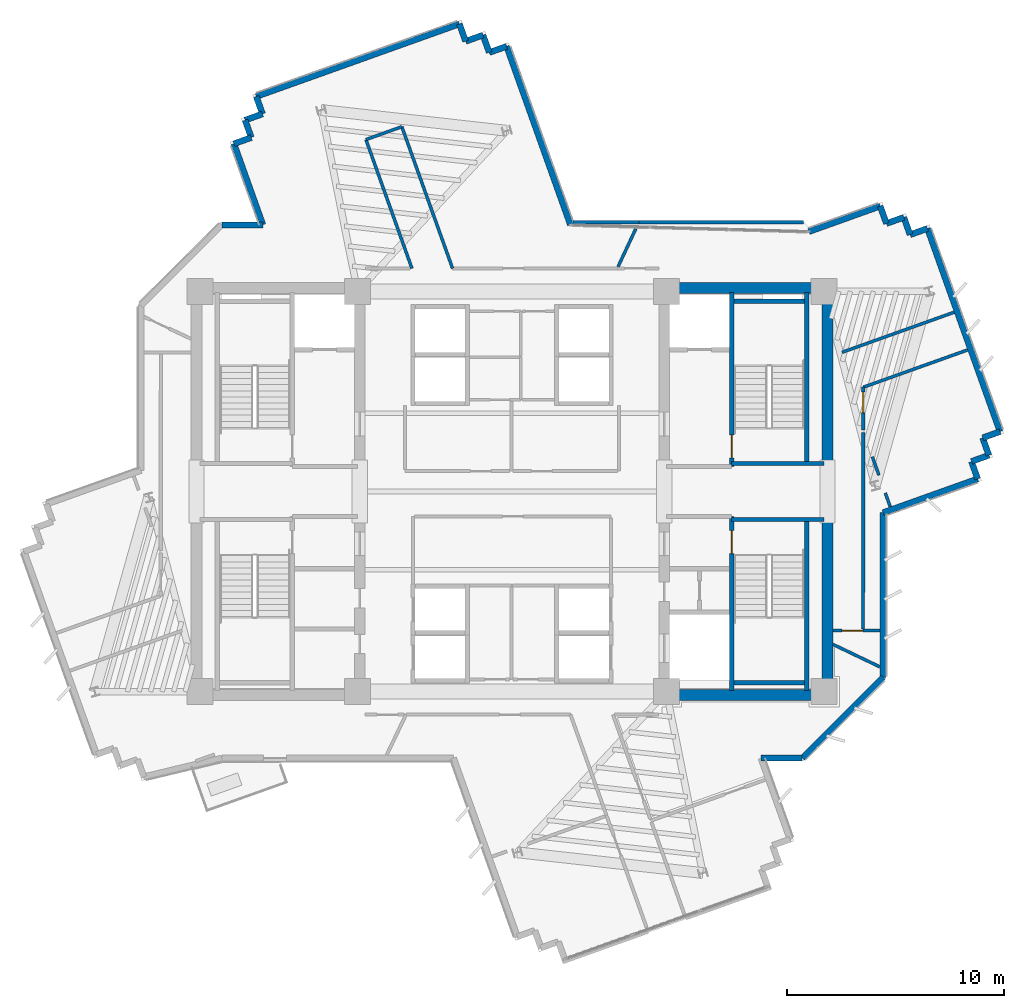
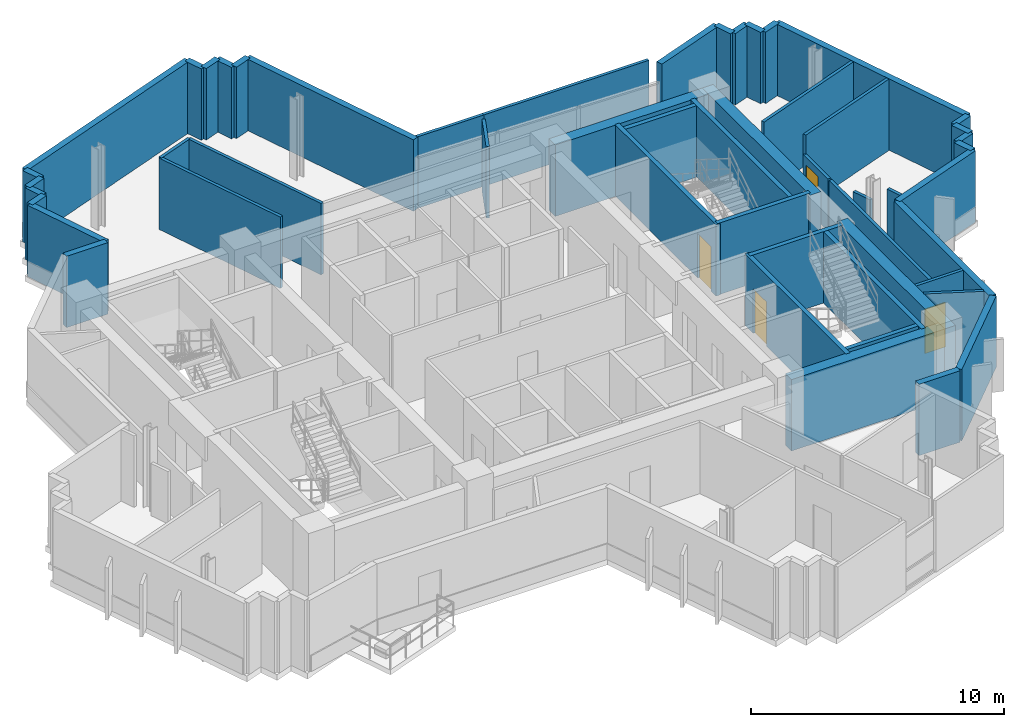
# One storey, part 9 of 13: 52 walls, 4 doors, 4 openings.
"""IFC4 building model written with IfcOpenShell, lengths in metres."""

from ifc_helpers import new_model, si_unit, direction, frame, frame_2d, origin, place, context, subcontext, project, spatial, rectangle, extrude, source, transform, mapped, material, layer, layer_set, type_object, element, fill, save


model = new_model("IFC4")

# Units and contexts
model_context = context("Model", 3, precision=1e-05, world=origin(), true_north=direction((0.0, 1.0)))
body_context = subcontext(model_context, "Body", "Model", "MODEL_VIEW")
ifc_project = project(units=[si_unit("LENGTHUNIT", "METRE"), si_unit("AREAUNIT", "SQUARE_METRE"), si_unit("VOLUMEUNIT", "CUBIC_METRE"), si_unit("PLANEANGLEUNIT", "RADIAN"), si_unit("MASSUNIT", "GRAM", prefix="KILO")], contexts=[model_context])

# Site, building, storey
site_placement = place(None, origin())
site = spatial("IfcSite", under=ifc_project, at=site_placement, CompositionType="ELEMENT")
building_placement = place(site_placement, origin())
building = spatial("IfcBuilding", under=site, at=building_placement, Name="Zahravan Cultural Tower", CompositionType="ELEMENT")
storey_placement = place(building_placement, frame((0.0, 0.0, 225.300048828125)))
storey = spatial("IfcBuildingStorey", under=building, at=storey_placement, Name="L53", CompositionType="ELEMENT", Elevation=225.300048828125)

# Wall, opening, door
ifc_material_1 = material(Name="Gypsum plasterboard partition")
ifc_layer_1 = layer(ifc_material_1, 0.139892578125)
ifc_layer_set_1 = layer_set([ifc_layer_1], Name="Gypsum plasterboard partition")
wall_type_1 = type_object("IfcWallType", Name="W-PART-140", PredefinedType="PARTITIONING", material=ifc_layer_set_1)
wall_1_placement = place(storey_placement, frame((50.7548828125, 20.60009765625, 0.0), z_axis=(0.0, 0.0, 1.0), x_axis=(0.999994277874, 0.003382930575, 0.0)))
wall_1 = element("IfcWall", 1, at=wall_1_placement, inside=storey, type_object=wall_type_1, Name="L53 Interior Wall 073", PredefinedType="PARTITIONING", context=body_context, shape_type="SweptSolid", body=[
    extrude(rectangle(XDim=2.1650390625, YDim=0.139892578125, at=frame_2d((1.08251953125, 0.0))), origin(), (0.0, 0.0, 1.0), 3.449951171875),
])
opening_1_placement = place(wall_1_placement, frame((0.42529296875, 0.0, 0.0)))
opening_1 = element("IfcOpeningElement", 2, at=opening_1_placement, cuts=wall_1, Name="Opening D-L53-20", PredefinedType="OPENING", context=body_context, shape_type="SweptSolid", body=[
    extrude(rectangle(XDim=0.949951171875, YDim=2.14990234375, at=frame_2d((0.47509765625, 1.074951171875))), frame((0.0, 0.079833984375, 0.0), z_axis=(0.0, -1.0, 0.0), x_axis=(1.0, 0.0, 0.0)), (0.0, 0.0, 1.0), 0.159912109375),
])
ifc_material_2 = material(Name="Anodised bronze-aluminium mullion", Category="aluminium")
door_type_1 = type_object("IfcDoorType", Name="DR-ROOM-950", OperationType="NOTDEFINED", PredefinedType="DOOR", material=ifc_material_2)
shared_shape_1 = source(origin(), body_context, "Body", "SweptSolid", [
    extrude(rectangle(XDim=0.949951171875, YDim=2.14990234375, at=frame_2d((0.47509765625, 1.074951171875))), frame((0.0, 0.02490234375, 0.0), z_axis=(0.0, -1.0, 0.0), x_axis=(1.0, 0.0, 0.0)), (0.0, 0.0, 1.0), 0.050048828125),
])
door_1_placement = place(opening_1_placement, origin())
door_1 = element("IfcDoor", 3, at=door_1_placement, inside=storey, type_object=door_type_1, Name="L53 Door D-L53-20", OperationType="SINGLE_SWING_RIGHT", OverallHeight=2.14990234375, OverallWidth=0.949951171875, PredefinedType="DOOR", context=body_context, shape_type="MappedRepresentation", body=[
    mapped(shared_shape_1, transform((0.0, 0.0, 0.0), x_axis=(1.0, 0.0, 0.0), y_axis=(0.0, 1.0, 0.0), z_axis=(0.0, 0.0, 1.0), scale=1.0)),
])
fill(opening_1, door_1)

wall_2_placement = place(storey_placement, frame((52.14990234375, 29.8291015625, 0.0), z_axis=(0.0, 0.0, 1.0), x_axis=(0.0, 1.0, 0.0)))
wall_2 = element("IfcWall", 4, at=wall_2_placement, inside=storey, type_object=wall_type_1, Name="L53 Interior Wall 093", PredefinedType="PARTITIONING", context=body_context, shape_type="SweptSolid", body=[
    extrude(rectangle(XDim=1.9658203125, YDim=0.139892578125, at=frame_2d((0.98291015625, 0.0))), origin(), (0.0, 0.0, 1.0), 2.52294921875),
])
opening_2_placement = place(wall_2_placement, frame((0.79248046875, 0.0, 0.0)))
opening_2 = element("IfcOpeningElement", 5, at=opening_2_placement, cuts=wall_2, Name="Opening D-L53-21", PredefinedType="OPENING", context=body_context, shape_type="SweptSolid", body=[
    extrude(rectangle(XDim=0.949951171875, YDim=2.14990234375, at=frame_2d((0.47509765625, 1.074951171875))), frame((0.0, 0.079833984375, 0.0), z_axis=(0.0, -1.0, 0.0), x_axis=(1.0, 0.0, 0.0)), (0.0, 0.0, 1.0), 0.159912109375),
])
door_2_placement = place(opening_2_placement, origin())
door_2 = element("IfcDoor", 6, at=door_2_placement, inside=storey, type_object=door_type_1, Name="L53 Door D-L53-21", OperationType="SINGLE_SWING_LEFT", OverallHeight=2.14990234375, OverallWidth=0.949951171875, PredefinedType="DOOR", context=body_context, shape_type="MappedRepresentation", body=[
    mapped(shared_shape_1, transform((0.0, 0.0, 0.0), x_axis=(1.0, 0.0, 0.0), y_axis=(0.0, 1.0, 0.0), z_axis=(0.0, 0.0, 1.0), scale=1.0)),
])
fill(opening_2, door_2)

ifc_material_3 = material(Name="Concrete C45/55", Category="concrete")
ifc_layer_2 = layer(ifc_material_3, 0.199951171875)
ifc_layer_set_2 = layer_set([ifc_layer_2], Name="Concrete C45/55")
wall_type_2 = type_object("IfcWallType", Name="W-SHAFT-200", PredefinedType="SOLIDWALL", material=ifc_layer_set_2)
wall_3_placement = place(storey_placement, frame((46.10009765625, 17.85009765625, 0.0), z_axis=(0.0, 0.0, 1.0), x_axis=(0.0, 1.0, 0.0)))
wall_3 = element("IfcWall", 7, at=wall_3_placement, inside=storey, type_object=wall_type_2, Name="L53 Interior Wall 007", PredefinedType="SOLIDWALL", context=body_context, shape_type="SweptSolid", body=[
    extrude(rectangle(XDim=8.0, YDim=0.199951171875, at=frame_2d((4.0, 0.0))), origin(), (0.0, 0.0, 1.0), 3.449951171875),
])
opening_3_placement = place(wall_3_placement, frame((6.300048828125, 0.0, 0.0)))
opening_3 = element("IfcOpeningElement", 8, at=opening_3_placement, cuts=wall_3, Name="Opening D-L53-03", PredefinedType="OPENING", context=body_context, shape_type="SweptSolid", body=[
    extrude(rectangle(XDim=1.050048828125, YDim=2.14990234375, at=frame_2d((0.52490234375, 1.074951171875))), frame((0.0, 0.10986328125, 0.0), z_axis=(0.0, -1.0, 0.0), x_axis=(1.0, 0.0, 0.0)), (0.0, 0.0, 1.0), 0.219970703125),
])
ifc_material_4 = material(Name="Steel ASTM A572 Grade 50", Category="steel")
door_type_2 = type_object("IfcDoorType", Name="DR-STAIR-1050", OperationType="NOTDEFINED", PredefinedType="DOOR", material=ifc_material_4)
shared_shape_2 = source(origin(), body_context, "Body", "SweptSolid", [
    extrude(rectangle(XDim=1.050048828125, YDim=2.14990234375, at=frame_2d((0.52490234375, 1.074951171875))), frame((0.0, 0.02490234375, 0.0), z_axis=(0.0, -1.0, 0.0), x_axis=(1.0, 0.0, 0.0)), (0.0, 0.0, 1.0), 0.050048828125),
])
door_3_placement = place(opening_3_placement, origin())
door_3 = element("IfcDoor", 9, at=door_3_placement, inside=storey, type_object=door_type_2, Name="L53 Door D-L53-03", OperationType="SINGLE_SWING_LEFT", OverallHeight=2.14990234375, OverallWidth=1.050048828125, PredefinedType="DOOR", context=body_context, shape_type="MappedRepresentation", body=[
    mapped(shared_shape_2, transform((0.0, 0.0, 0.0), x_axis=(1.0, 0.0, 0.0), y_axis=(0.0, 1.0, 0.0), z_axis=(0.0, 0.0, 1.0), scale=1.0)),
])
fill(opening_3, door_3)

wall_4_placement = place(storey_placement, frame((46.10009765625, 28.14990234375, 0.0), z_axis=(0.0, 0.0, 1.0), x_axis=(0.0, 1.0, 0.0)))
wall_4 = element("IfcWall", 10, at=wall_4_placement, inside=storey, type_object=wall_type_2, Name="L53 Interior Wall 008", PredefinedType="SOLIDWALL", context=body_context, shape_type="SweptSolid", body=[
    extrude(rectangle(XDim=8.0, YDim=0.199951171875, at=frame_2d((4.0, 0.0))), origin(), (0.0, 0.0, 1.0), 3.449951171875),
])
opening_4_placement = place(wall_4_placement, frame((0.39990234375, 0.0, 0.0)))
opening_4 = element("IfcOpeningElement", 11, at=opening_4_placement, cuts=wall_4, Name="Opening D-L53-02", PredefinedType="OPENING", context=body_context, shape_type="SweptSolid", body=[
    extrude(rectangle(XDim=1.050048828125, YDim=2.14990234375, at=frame_2d((0.52490234375, 1.074951171875))), frame((0.0, 0.10986328125, 0.0), z_axis=(0.0, -1.0, 0.0), x_axis=(1.0, 0.0, 0.0)), (0.0, 0.0, 1.0), 0.219970703125),
])
door_4_placement = place(opening_4_placement, origin())
door_4 = element("IfcDoor", 12, at=door_4_placement, inside=storey, type_object=door_type_2, Name="L53 Door D-L53-02", OperationType="SINGLE_SWING_RIGHT", OverallHeight=2.14990234375, OverallWidth=1.050048828125, PredefinedType="DOOR", context=body_context, shape_type="MappedRepresentation", body=[
    mapped(shared_shape_2, transform((0.0, 0.0, 0.0), x_axis=(1.0, 0.0, 0.0), y_axis=(0.0, 1.0, 0.0), z_axis=(0.0, 0.0, 1.0), scale=1.0)),
])
fill(opening_4, door_4)

# Walls
ifc_material_5 = material(Name="Concrete C60/75", Category="concrete")
ifc_layer_3 = layer(ifc_material_5, 0.5)
ifc_layer_set_3 = layer_set([ifc_layer_3], Name="Concrete C60/75")
wall_type_3 = type_object("IfcWallType", Name="CW-SHEAR-500-C60", PredefinedType="SHEAR", material=ifc_layer_set_3)
shared_shape_3 = source(origin(), body_context, "Body", "SweptSolid", [
    extrude(rectangle(XDim=8.550048828125, YDim=0.5, at=frame_2d((4.27490234375, 0.0))), origin(), (0.0, 0.0, 1.0), 3.449951171875),
])
for number, where, z_axis, x_axis, name in (
    (13, (50.5, 17.39990234375, 0.0), (0.0, 0.0, 1.0), (0.0, 1.0, 0.0), "L53 Core Shear Wall CW-E-ES-L53"),
    (14, (50.5, 28.050048828125, 0.0), (0.0, 0.0, 1.0), (0.0, 1.0, 0.0), "L53 Core Shear Wall CW-E-EN-L53"),
):
    element("IfcWall", number, at=place(storey_placement, frame(where, z_axis=z_axis, x_axis=x_axis)), inside=storey, type_object=wall_type_3, Name=name, PredefinedType="SHEAR", context=body_context, shape_type="MappedRepresentation", body=[
        mapped(shared_shape_3, transform((0.0, 0.0, 0.0), x_axis=(1.0, 0.0, 0.0), y_axis=(0.0, 1.0, 0.0), z_axis=(0.0, 0.0, 1.0), scale=1.0)),
    ])
shared_shape_4 = source(origin(), body_context, "Body", "SweptSolid", [
    extrude(rectangle(XDim=7.0, YDim=0.5, at=frame_2d((3.5, 0.0))), origin(), (0.0, 0.0, 1.0), 3.449951171875),
])
for number, where, z_axis, x_axis, name in (
    (15, (43.25, 17.64990234375, 0.0), (0.0, 0.0, 1.0), (1.0, 0.0, 0.0), "L53 Core Shear Wall CW-E-S-L53"),
    (16, (43.25, 36.35009765625, 0.0), (0.0, 0.0, 1.0), (1.0, 0.0, 0.0), "L53 Core Shear Wall CW-E-N-L53"),
):
    element("IfcWall", number, at=place(storey_placement, frame(where, z_axis=z_axis, x_axis=x_axis)), inside=storey, type_object=wall_type_3, Name=name, PredefinedType="SHEAR", context=body_context, shape_type="MappedRepresentation", body=[
        mapped(shared_shape_4, transform((0.0, 0.0, 0.0), x_axis=(1.0, 0.0, 0.0), y_axis=(0.0, 1.0, 0.0), z_axis=(0.0, 0.0, 1.0), scale=1.0)),
    ])
ifc_material_6 = material(Name="Precast concrete C40/50", Category="concrete")
ifc_layer_4 = layer(ifc_material_6, 0.280029296875)
ifc_layer_set_4 = layer_set([ifc_layer_4], Name="Precast concrete C40/50")
wall_type_4 = type_object("IfcWallType", Name="EW-TC-280", PredefinedType="SOLIDWALL", material=ifc_layer_set_4)
shared_shape_5 = source(origin(), body_context, "Body", "SweptSolid", [
    extrude(rectangle(XDim=3.4833984375, YDim=0.280029296875, at=frame_2d((1.74169921875, 0.0))), origin(), (0.0, 0.0, 1.0), 3.449951171875),
])
wall_5_placement = place(storey_placement, frame((49.650634765625, 38.951416015625, 0.0), z_axis=(0.0, 0.0, 1.0), x_axis=(0.941665776774, 0.336549498368, 0.0)))
element("IfcWall", 17, at=wall_5_placement, inside=storey, type_object=wall_type_4, Name="L53 Exterior Masonry Frame Wall 01", PredefinedType="SOLIDWALL", context=body_context, shape_type="MappedRepresentation", body=[
    mapped(shared_shape_5, transform((0.0, 0.0, 0.0), x_axis=(1.0, 0.0, 0.0), y_axis=(0.0, 1.0, 0.0), z_axis=(0.0, 0.0, 1.0), scale=1.0)),
])
shared_shape_6 = source(origin(), body_context, "Body", "SweptSolid", [
    extrude(rectangle(XDim=0.850341796875, YDim=0.280029296875, at=frame_2d((0.42529296875, 0.0))), origin(), (0.0, 0.0, 1.0), 3.449951171875),
])
wall_6_placement = place(storey_placement, frame((52.930908203125, 40.123779296875, 0.0), z_axis=(0.0, 0.0, 1.0), x_axis=(0.336481891926, -0.941689936447, 0.0)))
element("IfcWall", 18, at=wall_6_placement, inside=storey, type_object=wall_type_4, Name="L53 Exterior Masonry Frame Wall 02", PredefinedType="SOLIDWALL", context=body_context, shape_type="MappedRepresentation", body=[
    mapped(shared_shape_6, transform((0.0, 0.0, 0.0), x_axis=(1.0, 0.0, 0.0), y_axis=(0.0, 1.0, 0.0), z_axis=(0.0, 0.0, 1.0), scale=1.0)),
])
shared_shape_7 = source(origin(), body_context, "Body", "SweptSolid", [
    extrude(rectangle(XDim=0.849853515625, YDim=0.280029296875, at=frame_2d((0.4248046875, 0.0))), origin(), (0.0, 0.0, 1.0), 3.449951171875),
])
for number, where, z_axis, x_axis, name in (
    (19, (53.217041015625, 39.322998046875, 0.0), (0.0, 0.0, 1.0), (0.941624872587, 0.33666392638, 0.0), "L53 Exterior Masonry Frame Wall 03"),
    (20, (54.017333984375, 39.609130859375, 0.0), (0.0, 0.0, 1.0), (0.33666392638, -0.941624872587, 0.0), "L53 Exterior Masonry Frame Wall 04"),
    (21, (58.4423828125, 29.753662109375, 0.0), (0.0, 0.0, 1.0), (-0.941624872587, -0.33666392638, 0.0), "L53 Exterior Masonry Frame Wall 07"),
    (22, (57.927978515625, 28.6669921875, 0.0), (0.0, 0.0, 1.0), (-0.941715910258, -0.336409191858, 0.0), "L53 Exterior Masonry Frame Wall 09"),
    (23, (24.013427734375, 43.275390625, 0.0), (0.0, 0.0, 1.0), (-0.33666392638, 0.941624872587, 0.0), "L53 Exterior Masonry Frame Wall 42"),
    (24, (23.727294921875, 44.07568359375, 0.0), (0.0, 0.0, 1.0), (0.941624872587, 0.33666392638, 0.0), "L53 Exterior Masonry Frame Wall 43"),
    (25, (24.527587890625, 44.36181640625, 0.0), (0.0, 0.0, 1.0), (-0.336409191858, 0.941715910258, 0.0), "L53 Exterior Masonry Frame Wall 44"),
    (26, (34.66943359375, 47.986328125, 0.0), (0.0, 0.0, 1.0), (0.33666392638, -0.941624872587, 0.0), "L53 Exterior Masonry Frame Wall 48"),
    (27, (34.95556640625, 47.18603515625, 0.0), (0.0, 0.0, 1.0), (0.941624872587, 0.33666392638, 0.0), "L53 Exterior Masonry Frame Wall 49"),
):
    element("IfcWall", number, at=place(storey_placement, frame(where, z_axis=z_axis, x_axis=x_axis)), inside=storey, type_object=wall_type_4, Name=name, PredefinedType="SOLIDWALL", context=body_context, shape_type="MappedRepresentation", body=[
        mapped(shared_shape_7, transform((0.0, 0.0, 0.0), x_axis=(1.0, 0.0, 0.0), y_axis=(0.0, 1.0, 0.0), z_axis=(0.0, 0.0, 1.0), scale=1.0)),
    ])
shared_shape_8 = source(origin(), body_context, "Body", "SweptSolid", [
    extrude(rectangle(XDim=0.85009765625, YDim=0.280029296875, at=frame_2d((0.425048828125, 0.0))), origin(), (0.0, 0.0, 1.0), 3.449951171875),
])
for number, where, z_axis, x_axis, name in (
    (28, (54.303466796875, 38.808837890625, 0.0), (0.0, 0.0, 1.0), (0.941657417713, 0.336572886112, 0.0), "L53 Exterior Masonry Frame Wall 05"),
    (29, (57.64208984375, 29.467529296875, 0.0), (0.0, 0.0, 1.0), (0.336318202891, -0.941748409292, 0.0), "L53 Exterior Masonry Frame Wall 08"),
    (30, (57.127685546875, 28.381103515625, 0.0), (0.0, 0.0, 1.0), (0.336572886112, -0.941657417713, 0.0), "L53 Exterior Masonry Frame Wall 10"),
    (31, (23.212890625, 42.9892578125, 0.0), (0.0, 0.0, 1.0), (0.941657417713, 0.336572886112, 0.0), "L53 Exterior Masonry Frame Wall 41"),
    (32, (33.5830078125, 48.500732421875, 0.0), (0.0, 0.0, 1.0), (0.336318202891, -0.941748409292, 0.0), "L53 Exterior Masonry Frame Wall 46"),
    (33, (33.868896484375, 47.7001953125, 0.0), (0.0, 0.0, 1.0), (0.941657417713, 0.336572886112, 0.0), "L53 Exterior Masonry Frame Wall 47"),
):
    element("IfcWall", number, at=place(storey_placement, frame(where, z_axis=z_axis, x_axis=x_axis)), inside=storey, type_object=wall_type_4, Name=name, PredefinedType="SOLIDWALL", context=body_context, shape_type="MappedRepresentation", body=[
        mapped(shared_shape_8, transform((0.0, 0.0, 0.0), x_axis=(1.0, 0.0, 0.0), y_axis=(0.0, 1.0, 0.0), z_axis=(0.0, 0.0, 1.0), scale=1.0)),
    ])
shared_shape_9 = source(origin(), body_context, "Body", "SweptSolid", [
    extrude(rectangle(XDim=9.919921875, YDim=0.280029296875, at=frame_2d((4.9599609375, 0.0))), origin(), (0.0, 0.0, 1.0), 3.449951171875),
])
for number, where, z_axis, x_axis, name in (
    (34, (55.10400390625, 39.094970703125, 0.0), (0.0, 0.0, 1.0), (0.336532833412, -0.941671732631, 0.0), "L53 Exterior Masonry Frame Wall 06"),
    (35, (24.24169921875, 45.162109375, 0.0), (0.0, 0.0, 1.0), (0.941663933085, 0.336554656969, 0.0), "L53 Exterior Masonry Frame Wall 45"),
):
    element("IfcWall", number, at=place(storey_placement, frame(where, z_axis=z_axis, x_axis=x_axis)), inside=storey, type_object=wall_type_4, Name=name, PredefinedType="SOLIDWALL", context=body_context, shape_type="MappedRepresentation", body=[
        mapped(shared_shape_9, transform((0.0, 0.0, 0.0), x_axis=(1.0, 0.0, 0.0), y_axis=(0.0, 1.0, 0.0), z_axis=(0.0, 0.0, 1.0), scale=1.0)),
    ])
shared_shape_10 = source(origin(), body_context, "Body", "SweptSolid", [
    extrude(rectangle(XDim=4.62353515625, YDim=0.280029296875, at=frame_2d((2.311767578125, 0.0))), origin(), (0.0, 0.0, 1.0), 3.449951171875),
])
wall_7_placement = place(storey_placement, frame((57.413818359375, 27.58056640625, 0.0), z_axis=(0.0, 0.0, 1.0), x_axis=(-0.941673795185, -0.336527062004, 0.0)))
element("IfcWall", 36, at=wall_7_placement, inside=storey, type_object=wall_type_4, Name="L53 Exterior Masonry Frame Wall 11", PredefinedType="SOLIDWALL", context=body_context, shape_type="MappedRepresentation", body=[
    mapped(shared_shape_10, transform((0.0, 0.0, 0.0), x_axis=(1.0, 0.0, 0.0), y_axis=(0.0, 1.0, 0.0), z_axis=(0.0, 0.0, 1.0), scale=1.0)),
])
shared_shape_11 = source(origin(), body_context, "Body", "SweptSolid", [
    extrude(rectangle(XDim=7.566650390625, YDim=0.280029296875, at=frame_2d((3.783203125, 0.0))), origin(), (0.0, 0.0, 1.0), 3.449951171875),
])
wall_8_placement = place(storey_placement, frame((53.06005859375, 26.024658203125, 0.0), z_axis=(0.0, 0.0, 1.0), x_axis=(0.0, -1.0, 0.0)))
element("IfcWall", 37, at=wall_8_placement, inside=storey, type_object=wall_type_4, Name="L53 Exterior Masonry Frame Wall 12", PredefinedType="SOLIDWALL", context=body_context, shape_type="MappedRepresentation", body=[
    mapped(shared_shape_11, transform((0.0, 0.0, 0.0), x_axis=(1.0, 0.0, 0.0), y_axis=(0.0, 1.0, 0.0), z_axis=(0.0, 0.0, 1.0), scale=1.0)),
])
shared_shape_12 = source(origin(), body_context, "Body", "SweptSolid", [
    extrude(rectangle(XDim=5.258056640625, YDim=0.280029296875, at=frame_2d((2.62890625, 0.0))), origin(), (0.0, 0.0, 1.0), 3.449951171875),
])
wall_9_placement = place(storey_placement, frame((53.06005859375, 18.4580078125, 0.0), z_axis=(0.0, 0.0, 1.0), x_axis=(-0.707106781187, -0.707106781187, 0.0)))
element("IfcWall", 38, at=wall_9_placement, inside=storey, type_object=wall_type_4, Name="L53 Exterior Masonry Frame Wall 13", PredefinedType="SOLIDWALL", context=body_context, shape_type="MappedRepresentation", body=[
    mapped(shared_shape_12, transform((0.0, 0.0, 0.0), x_axis=(1.0, 0.0, 0.0), y_axis=(0.0, 1.0, 0.0), z_axis=(0.0, 0.0, 1.0), scale=1.0)),
])
shared_shape_13 = source(origin(), body_context, "Body", "SweptSolid", [
    extrude(rectangle(XDim=1.887939453125, YDim=0.280029296875, at=frame_2d((0.94384765625, 0.0))), origin(), (0.0, 0.0, 1.0), 3.449951171875),
])
for number, where, z_axis, x_axis, name in (
    (39, (49.342041015625, 14.739990234375, 0.0), (0.0, 0.0, 1.0), (-1.0, 0.0, 0.0), "L53 Exterior Masonry Frame Wall 14"),
    (40, (22.657958984375, 39.260009765625, 0.0), (0.0, 0.0, 1.0), (1.0, 0.0, 0.0), "L53 Exterior Masonry Frame Wall 39"),
):
    element("IfcWall", number, at=place(storey_placement, frame(where, z_axis=z_axis, x_axis=x_axis)), inside=storey, type_object=wall_type_4, Name=name, PredefinedType="SOLIDWALL", context=body_context, shape_type="MappedRepresentation", body=[
        mapped(shared_shape_13, transform((0.0, 0.0, 0.0), x_axis=(1.0, 0.0, 0.0), y_axis=(0.0, 1.0, 0.0), z_axis=(0.0, 0.0, 1.0), scale=1.0)),
    ])
shared_shape_14 = source(origin(), body_context, "Body", "SweptSolid", [
    extrude(rectangle(XDim=3.96044921875, YDim=0.280029296875, at=frame_2d((1.980224609375, 0.0))), origin(), (0.0, 0.0, 1.0), 3.449951171875),
])
wall_10_placement = place(storey_placement, frame((24.5458984375, 39.260009765625, 0.0), z_axis=(0.0, 0.0, 1.0), x_axis=(-0.336590223561, 0.941651220677, 0.0)))
element("IfcWall", 41, at=wall_10_placement, inside=storey, type_object=wall_type_4, Name="L53 Exterior Masonry Frame Wall 40", PredefinedType="SOLIDWALL", context=body_context, shape_type="MappedRepresentation", body=[
    mapped(shared_shape_14, transform((0.0, 0.0, 0.0), x_axis=(1.0, 0.0, 0.0), y_axis=(0.0, 1.0, 0.0), z_axis=(0.0, 0.0, 1.0), scale=1.0)),
])
shared_shape_15 = source(origin(), body_context, "Body", "SweptSolid", [
    extrude(rectangle(XDim=8.720947265625, YDim=0.280029296875, at=frame_2d((4.3603515625, 0.0))), origin(), (0.0, 0.0, 1.0), 3.449951171875),
])
wall_11_placement = place(storey_placement, frame((35.755859375, 47.47216796875, 0.0), z_axis=(0.0, 0.0, 1.0), x_axis=(0.336554520074, -0.941663982011, 0.0)))
element("IfcWall", 42, at=wall_11_placement, inside=storey, type_object=wall_type_4, Name="L53 Exterior Masonry Frame Wall 50", PredefinedType="SOLIDWALL", context=body_context, shape_type="MappedRepresentation", body=[
    mapped(shared_shape_15, transform((0.0, 0.0, 0.0), x_axis=(1.0, 0.0, 0.0), y_axis=(0.0, 1.0, 0.0), z_axis=(0.0, 0.0, 1.0), scale=1.0)),
])
shared_shape_16 = source(origin(), body_context, "Body", "SweptSolid", [
    extrude(rectangle(XDim=7.869873046875, YDim=0.199951171875, at=frame_2d((3.93505859375, 0.0))), origin(), (0.0, 0.0, 1.0), 3.449951171875),
])
for number, where, z_axis, x_axis, name in (
    (43, (49.550048828125, 17.85009765625, 0.0), (0.0, 0.0, 1.0), (0.0, 1.0, 0.0), "L53 Interior Wall 003"),
    (44, (49.550048828125, 28.280029296875, 0.0), (0.0, 0.0, 1.0), (0.0, 1.0, 0.0), "L53 Interior Wall 004"),
):
    element("IfcWall", number, at=place(storey_placement, frame(where, z_axis=z_axis, x_axis=x_axis)), inside=storey, type_object=wall_type_2, Name=name, PredefinedType="SOLIDWALL", context=body_context, shape_type="MappedRepresentation", body=[
        mapped(shared_shape_16, transform((0.0, 0.0, 0.0), x_axis=(1.0, 0.0, 0.0), y_axis=(0.0, 1.0, 0.0), z_axis=(0.0, 0.0, 1.0), scale=1.0)),
    ])
shared_shape_17 = source(origin(), body_context, "Body", "SweptSolid", [
    extrude(rectangle(XDim=4.25, YDim=0.199951171875, at=frame_2d((2.125, 0.0))), origin(), (0.0, 0.0, 1.0), 3.449951171875),
])
for number, where, z_axis, x_axis, name in (
    (45, (46.10009765625, 25.715087890625, 0.0), (0.0, 0.0, 1.0), (1.0, 0.0, 0.0), "L53 Interior Wall 014"),
    (46, (46.10009765625, 28.284912109375, 0.0), (0.0, 0.0, 1.0), (1.0, 0.0, 0.0), "L53 Interior Wall 016"),
):
    element("IfcWall", number, at=place(storey_placement, frame(where, z_axis=z_axis, x_axis=x_axis)), inside=storey, type_object=wall_type_2, Name=name, PredefinedType="SOLIDWALL", context=body_context, shape_type="MappedRepresentation", body=[
        mapped(shared_shape_17, transform((0.0, 0.0, 0.0), x_axis=(1.0, 0.0, 0.0), y_axis=(0.0, 1.0, 0.0), z_axis=(0.0, 0.0, 1.0), scale=1.0)),
    ])
shared_shape_18 = source(origin(), body_context, "Body", "SweptSolid", [
    extrude(rectangle(XDim=3.25, YDim=0.199951171875, at=frame_2d((1.625, 0.0))), origin(), (0.0, 0.0, 1.0), 3.449951171875),
])
for number, where, z_axis, x_axis, name in (
    (47, (46.199951171875, 35.75, 0.0), (0.0, 0.0, 1.0), (1.0, 0.0, 0.0), "L53 Interior Wall 018"),
    (48, (46.199951171875, 18.199951171875, 0.0), (0.0, 0.0, 1.0), (1.0, 0.0, 0.0), "L53 Interior Wall 020"),
):
    element("IfcWall", number, at=place(storey_placement, frame(where, z_axis=z_axis, x_axis=x_axis)), inside=storey, type_object=wall_type_2, Name=name, PredefinedType="SOLIDWALL", context=body_context, shape_type="MappedRepresentation", body=[
        mapped(shared_shape_18, transform((0.0, 0.0, 0.0), x_axis=(1.0, 0.0, 0.0), y_axis=(0.0, 1.0, 0.0), z_axis=(0.0, 0.0, 1.0), scale=1.0)),
    ])
shared_shape_19 = source(origin(), body_context, "Body", "SweptSolid", [
    extrude(rectangle(XDim=9.037841796875, YDim=0.139892578125, at=frame_2d((4.51904296875, 0.0))), origin(), (0.0, 0.0, 1.0), 2.52294921875),
])
wall_12_placement = place(storey_placement, frame((52.148681640625, 20.6796875, 0.0), z_axis=(0.0, 0.0, 1.0), x_axis=(0.000135065776, 0.999999990879, 0.0)))
element("IfcWall", 49, at=wall_12_placement, inside=storey, type_object=wall_type_1, Name="L53 Interior Wall 074", PredefinedType="PARTITIONING", context=body_context, shape_type="MappedRepresentation", body=[
    mapped(shared_shape_19, transform((0.0, 0.0, 0.0), x_axis=(1.0, 0.0, 0.0), y_axis=(0.0, 1.0, 0.0), z_axis=(0.0, 0.0, 1.0), scale=1.0)),
])
shared_shape_20 = source(origin(), body_context, "Body", "SweptSolid", [
    extrude(rectangle(XDim=0.89599609375, YDim=0.139892578125, at=frame_2d((0.447998046875, 0.0))), origin(), (0.0, 0.0, 1.0), 2.52294921875),
])
wall_13_placement = place(storey_placement, frame((52.56982421875, 28.5947265625, 0.0), z_axis=(0.0, 0.0, 1.0), x_axis=(0.336509001165, -0.941680249413, 0.0)))
element("IfcWall", 50, at=wall_13_placement, inside=storey, type_object=wall_type_1, Name="L53 Interior Wall 075", PredefinedType="PARTITIONING", context=body_context, shape_type="MappedRepresentation", body=[
    mapped(shared_shape_20, transform((0.0, 0.0, 0.0), x_axis=(1.0, 0.0, 0.0), y_axis=(0.0, 1.0, 0.0), z_axis=(0.0, 0.0, 1.0), scale=1.0)),
])
shared_shape_21 = source(origin(), body_context, "Body", "SweptSolid", [
    extrude(rectangle(XDim=0.673828125, YDim=0.139892578125, at=frame_2d((0.3369140625, 0.0))), origin(), (0.0, 0.0, 1.0), 3.449951171875),
])
wall_14_placement = place(storey_placement, frame((53.164306640625, 26.931396484375, 0.0), z_axis=(0.0, 0.0, 1.0), x_axis=(0.336588856473, -0.941651709337, 0.0)))
element("IfcWall", 51, at=wall_14_placement, inside=storey, type_object=wall_type_1, Name="L53 Interior Wall 076", PredefinedType="PARTITIONING", context=body_context, shape_type="MappedRepresentation", body=[
    mapped(shared_shape_21, transform((0.0, 0.0, 0.0), x_axis=(1.0, 0.0, 0.0), y_axis=(0.0, 1.0, 0.0), z_axis=(0.0, 0.0, 1.0), scale=1.0)),
])
shared_shape_22 = source(origin(), body_context, "Body", "SweptSolid", [
    extrude(rectangle(XDim=2.395263671875, YDim=0.139892578125, at=frame_2d((1.19775390625, 0.0))), origin(), (0.0, 0.0, 1.0), 3.449951171875),
])
wall_15_placement = place(storey_placement, frame((52.9150390625, 18.937255859375, 0.0), z_axis=(0.0, 0.0, 1.0), x_axis=(-0.90180278892, 0.432147810242, 0.0)))
element("IfcWall", 52, at=wall_15_placement, inside=storey, type_object=wall_type_1, Name="L53 Interior Wall 077", PredefinedType="PARTITIONING", context=body_context, shape_type="MappedRepresentation", body=[
    mapped(shared_shape_22, transform((0.0, 0.0, 0.0), x_axis=(1.0, 0.0, 0.0), y_axis=(0.0, 1.0, 0.0), z_axis=(0.0, 0.0, 1.0), scale=1.0)),
])
shared_shape_23 = source(origin(), body_context, "Body", "SweptSolid", [
    extrude(rectangle(XDim=5.09326171875, YDim=0.139892578125, at=frame_2d((2.546630859375, 0.0))), origin(), (0.0, 0.0, 1.0), 3.449951171875),
])
wall_16_placement = place(storey_placement, frame((52.150146484375, 31.794921875, 0.0), z_axis=(0.0, 0.0, 1.0), x_axis=(0.941667058904, 0.336545910947, 0.0)))
element("IfcWall", 53, at=wall_16_placement, inside=storey, type_object=wall_type_1, Name="L53 Interior Wall 094", PredefinedType="PARTITIONING", context=body_context, shape_type="MappedRepresentation", body=[
    mapped(shared_shape_23, transform((0.0, 0.0, 0.0), x_axis=(1.0, 0.0, 0.0), y_axis=(0.0, 1.0, 0.0), z_axis=(0.0, 0.0, 1.0), scale=1.0)),
])
shared_shape_24 = source(origin(), body_context, "Body", "SweptSolid", [
    extrude(rectangle(XDim=1.926513671875, YDim=0.139892578125, at=frame_2d((0.96337890625, 0.0))), origin(), (0.0, 0.0, 1.0), 3.449951171875),
])
wall_17_placement = place(storey_placement, frame((40.875732421875, 37.335205078125, 0.0), z_axis=(0.0, 0.0, 1.0), x_axis=(0.42364150529, 0.905829937127, 0.0)))
element("IfcWall", 54, at=wall_17_placement, inside=storey, type_object=wall_type_1, Name="L53 Interior Wall 103", PredefinedType="PARTITIONING", context=body_context, shape_type="MappedRepresentation", body=[
    mapped(shared_shape_24, transform((0.0, 0.0, 0.0), x_axis=(1.0, 0.0, 0.0), y_axis=(0.0, 1.0, 0.0), z_axis=(0.0, 0.0, 1.0), scale=1.0)),
])
shared_shape_25 = source(origin(), body_context, "Body", "SweptSolid", [
    extrude(rectangle(XDim=7.5595703125, YDim=0.139892578125, at=frame_2d((3.77978515625, 0.0))), origin(), (0.0, 0.0, 1.0), 3.449951171875),
])
wall_18_placement = place(storey_placement, frame((41.83203125, 39.3798828125, 0.0), z_axis=(0.0, 0.0, 1.0), x_axis=(1.0, 0.0, 0.0)))
element("IfcWall", 55, at=wall_18_placement, inside=storey, type_object=wall_type_1, Name="L53 Interior Wall 104", PredefinedType="PARTITIONING", context=body_context, shape_type="MappedRepresentation", body=[
    mapped(shared_shape_25, transform((0.0, 0.0, 0.0), x_axis=(1.0, 0.0, 0.0), y_axis=(0.0, 1.0, 0.0), z_axis=(0.0, 0.0, 1.0), scale=1.0)),
])
shared_shape_26 = source(origin(), body_context, "Body", "SweptSolid", [
    extrude(rectangle(XDim=5.47265625, YDim=0.139892578125, at=frame_2d((2.736328125, 0.0))), origin(), (0.0, 0.0, 1.0), 3.449951171875),
])
wall_19_placement = place(storey_placement, frame((56.326904296875, 35.24169921875, 0.0), z_axis=(0.0, 0.0, 1.0), x_axis=(-0.941665179086, -0.336551170695, 0.0)))
element("IfcWall", 56, at=wall_19_placement, inside=storey, type_object=wall_type_1, Name="L53 Interior Wall 105", PredefinedType="PARTITIONING", context=body_context, shape_type="MappedRepresentation", body=[
    mapped(shared_shape_26, transform((0.0, 0.0, 0.0), x_axis=(1.0, 0.0, 0.0), y_axis=(0.0, 1.0, 0.0), z_axis=(0.0, 0.0, 1.0), scale=1.0)),
])
shared_shape_27 = source(origin(), body_context, "Body", "SweptSolid", [
    extrude(rectangle(XDim=6.91796875, YDim=0.139892578125, at=frame_2d((3.458984375, 0.0))), origin(), (0.0, 0.0, 1.0), 3.449951171875),
])
wall_20_placement = place(storey_placement, frame((33.267578125, 37.260009765625, 0.0), z_axis=(0.0, 0.0, 1.0), x_axis=(-0.337208154994, 0.94143011435, 0.0)))
element("IfcWall", 57, at=wall_20_placement, inside=storey, type_object=wall_type_1, Name="L53 Interior Wall 110", PredefinedType="PARTITIONING", context=body_context, shape_type="MappedRepresentation", body=[
    mapped(shared_shape_27, transform((0.0, 0.0, 0.0), x_axis=(1.0, 0.0, 0.0), y_axis=(0.0, 1.0, 0.0), z_axis=(0.0, 0.0, 1.0), scale=1.0)),
])
shared_shape_28 = source(origin(), body_context, "Body", "SweptSolid", [
    extrude(rectangle(XDim=1.752685546875, YDim=0.139892578125, at=frame_2d((0.87646484375, 0.0))), origin(), (0.0, 0.0, 1.0), 3.449951171875),
])
wall_21_placement = place(storey_placement, frame((30.934814453125, 43.772705078125, 0.0), z_axis=(0.0, 0.0, 1.0), x_axis=(-0.941413691232, -0.337254002142, 0.0)))
element("IfcWall", 58, at=wall_21_placement, inside=storey, type_object=wall_type_1, Name="L53 Interior Wall 111", PredefinedType="PARTITIONING", context=body_context, shape_type="MappedRepresentation", body=[
    mapped(shared_shape_28, transform((0.0, 0.0, 0.0), x_axis=(1.0, 0.0, 0.0), y_axis=(0.0, 1.0, 0.0), z_axis=(0.0, 0.0, 1.0), scale=1.0)),
])
shared_shape_29 = source(origin(), body_context, "Body", "SweptSolid", [
    extrude(rectangle(XDim=6.28759765625, YDim=0.139892578125, at=frame_2d((3.143798828125, 0.0))), origin(), (0.0, 0.0, 1.0), 3.449951171875),
])
wall_22_placement = place(storey_placement, frame((29.284912109375, 43.181640625, 0.0), z_axis=(0.0, 0.0, 1.0), x_axis=(0.336146986569, -0.941809536701, 0.0)))
element("IfcWall", 59, at=wall_22_placement, inside=storey, type_object=wall_type_1, Name="L53 Interior Wall 112", PredefinedType="PARTITIONING", context=body_context, shape_type="MappedRepresentation", body=[
    mapped(shared_shape_29, transform((0.0, 0.0, 0.0), x_axis=(1.0, 0.0, 0.0), y_axis=(0.0, 1.0, 0.0), z_axis=(0.0, 0.0, 1.0), scale=1.0)),
])
shared_shape_30 = source(origin(), body_context, "Body", "SweptSolid", [
    extrude(rectangle(XDim=3.030029296875, YDim=0.139892578125, at=frame_2d((1.51513671875, 0.0))), origin(), (0.0, 0.0, 1.0), 3.449951171875),
])
wall_23_placement = place(storey_placement, frame((38.802001953125, 39.3798828125, 0.0), z_axis=(0.0, 0.0, 1.0), x_axis=(1.0, 0.0, 0.0)))
element("IfcWall", 60, at=wall_23_placement, inside=storey, type_object=wall_type_1, Name="L53 Interior Wall 114", PredefinedType="PARTITIONING", context=body_context, shape_type="MappedRepresentation", body=[
    mapped(shared_shape_30, transform((0.0, 0.0, 0.0), x_axis=(1.0, 0.0, 0.0), y_axis=(0.0, 1.0, 0.0), z_axis=(0.0, 0.0, 1.0), scale=1.0)),
])

save(model, "model.ifc")
